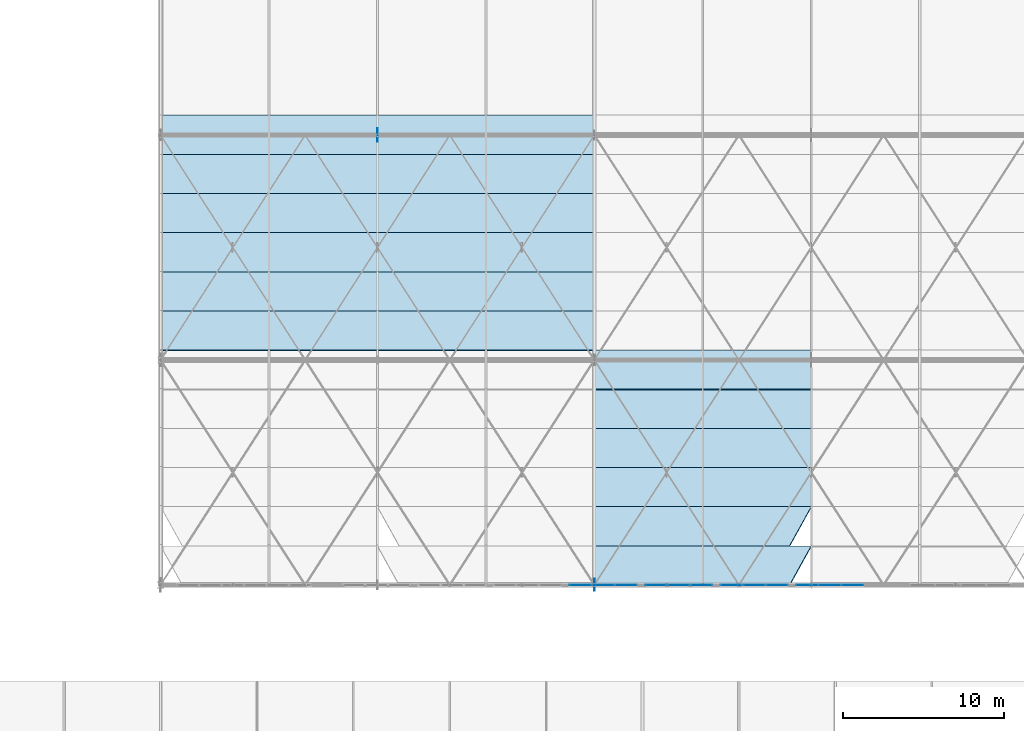
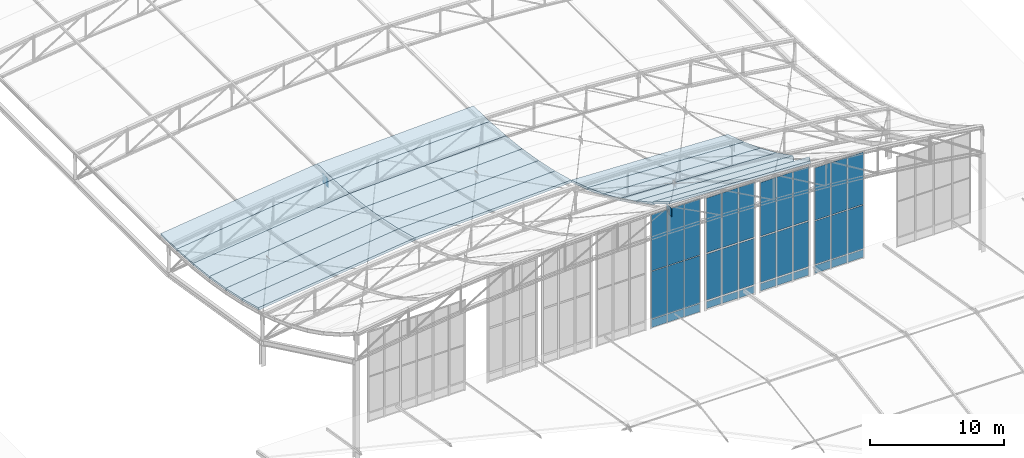
# One storey, part 229 of 262: 38 plates, 18 slabs, 4 elements without a shape of their own.
"""IFC4 building model written with IfcOpenShell, lengths in metres."""

from ifc_helpers import new_model, si_unit, derived_unit, direction, frame, origin, origin_2d, place, context, subcontext, project, spatial, polyline, rectangle, outline, extrude, material, layer, layer_set, type_object, element, aggregate, save


model = new_model("IFC4")

# Units and contexts
model_context = context("Model", 3, precision=1e-05, world=origin(), true_north=direction((0.0, 1.0)))
body_context = subcontext(model_context, "Body", "Model", "MODEL_VIEW")
ifc_project = project(units=[si_unit("LENGTHUNIT", "METRE"), si_unit("AREAUNIT", "SQUARE_METRE"), si_unit("VOLUMEUNIT", "CUBIC_METRE"), si_unit("PLANEANGLEUNIT", "RADIAN"), si_unit("MASSUNIT", "GRAM", prefix="KILO"), derived_unit("THERMALTRANSMITTANCEUNIT", [(si_unit("POWERUNIT", "WATT"), 1), (si_unit("LENGTHUNIT", "METRE"), -2), (si_unit("THERMODYNAMICTEMPERATUREUNIT", "KELVIN"), -1)])], contexts=[model_context])

# Site, building, storey
site_placement = place(None, origin())
site = spatial("IfcSite", under=ifc_project, at=site_placement, CompositionType="ELEMENT")
building_placement = place(site_placement, origin())
building = spatial("IfcBuilding", under=site, at=building_placement, Name="Almenara Railside Exhibition Hall", CompositionType="ELEMENT")
storey_placement = place(building_placement, frame((0.0, 0.0, 21.699951171875)))
storey = spatial("IfcBuildingStorey", under=building, at=storey_placement, Name="RF", CompositionType="ELEMENT", Elevation=21.699951171875)

# Curtain wall, plates
ifc_material_1 = material(Name="Bronze-anodised aluminium and low-E double glazing", Category="aluminium")
ifc_layer_1 = layer(ifc_material_1, 0.179931640625, Name="Bronze-anodised aluminium and low-E double glazing")
ifc_layer_set_1 = layer_set([ifc_layer_1], Name="Bronze-anodised aluminium and low-E double glazing")
curtain_wall_type = type_object("IfcCurtainWallType", Name="Scroll Gable Tall Curtain Wall 3800x5400", PredefinedType="NOTDEFINED", material=ifc_layer_set_1)
curtain_wall_1_placement = place(storey_placement, origin())
curtain_wall_1 = element("IfcCurtainWall", 1, at=curtain_wall_1_placement, inside=storey, type_object=curtain_wall_type, Name="Curtain wall CW-G1-220", PredefinedType="NOTDEFINED")
ifc_material_2 = material(Name="Solar-control acoustic laminated glazing", Category="glass")
ifc_layer_2 = layer(ifc_material_2, 0.031982421875, Name="Solar-control acoustic laminated glazing")
ifc_layer_set_2 = layer_set([ifc_layer_2], Name="Solar-control acoustic laminated glazing")
plate_type_1 = type_object("IfcPlateType", Name="Acoustic Low-E Double Glazing Panel 32mm", PredefinedType="CURTAIN_PANEL", material=ifc_layer_set_2)
plate_1_placement = place(storey_placement, frame((168.834228515625, 34.0, -6.555908203125), z_axis=(0.0, 0.0, 1.0), x_axis=(1.0, 0.0, 0.0)))
plate_1 = element("IfcPlate", 2, at=plate_1_placement, type_object=plate_type_1, Name="CW-G1-220 panel 1.1", PredefinedType="CURTAIN_PANEL", context=body_context, shape_type="SweptSolid", body=[
    extrude(rectangle(XDim=1.34423828125, YDim=0.031982421875, at=origin_2d()), origin(), (0.0, 0.0, 1.0), 0.64208984375),
])
plate_2_placement = place(storey_placement, frame((168.834228515625, 34.0, -5.785888671875), z_axis=(0.0, 0.0, 1.0), x_axis=(1.0, 0.0, 0.0)))
plate_2 = element("IfcPlate", 3, at=plate_2_placement, type_object=plate_type_1, Name="CW-G1-220 panel 1.2", PredefinedType="CURTAIN_PANEL", context=body_context, shape_type="SweptSolid", body=[
    extrude(rectangle(XDim=1.34423828125, YDim=0.031982421875, at=origin_2d()), origin(), (0.0, 0.0, 1.0), 4.20703125),
])
plate_3_placement = place(storey_placement, frame((168.834228515625, 34.0, -1.450927734375), z_axis=(0.0, 0.0, 1.0), x_axis=(1.0, 0.0, 0.0)))
plate_3 = element("IfcPlate", 4, at=plate_3_placement, type_object=plate_type_1, Name="CW-G1-220 panel 1.3", PredefinedType="CURTAIN_PANEL", context=body_context, shape_type="SweptSolid", body=[
    extrude(rectangle(XDim=1.34423828125, YDim=0.031982421875, at=origin_2d()), origin(), (0.0, 0.0, 1.0), 4.97705078125),
])
plate_4_placement = place(storey_placement, frame((170.25, 34.0, -6.555908203125), z_axis=(0.0, 0.0, 1.0), x_axis=(1.0, 0.0, 0.0)))
plate_4 = element("IfcPlate", 5, at=plate_4_placement, type_object=plate_type_1, Name="CW-G1-220 panel 2.1", PredefinedType="CURTAIN_PANEL", context=body_context, shape_type="SweptSolid", body=[
    extrude(rectangle(XDim=1.37939453125, YDim=0.031982421875, at=origin_2d()), origin(), (0.0, 0.0, 1.0), 0.64208984375),
])
plate_5_placement = place(storey_placement, frame((170.25, 34.0, -5.785888671875), z_axis=(0.0, 0.0, 1.0), x_axis=(1.0, 0.0, 0.0)))
plate_5 = element("IfcPlate", 6, at=plate_5_placement, type_object=plate_type_1, Name="CW-G1-220 panel 2.2", PredefinedType="CURTAIN_PANEL", context=body_context, shape_type="SweptSolid", body=[
    extrude(rectangle(XDim=1.37939453125, YDim=0.031982421875, at=origin_2d()), origin(), (0.0, 0.0, 1.0), 4.20703125),
])
plate_6_placement = place(storey_placement, frame((170.25, 34.0, -1.450927734375), z_axis=(0.0, 0.0, 1.0), x_axis=(1.0, 0.0, 0.0)))
plate_6 = element("IfcPlate", 7, at=plate_6_placement, type_object=plate_type_1, Name="CW-G1-220 panel 2.3", PredefinedType="CURTAIN_PANEL", context=body_context, shape_type="SweptSolid", body=[
    extrude(rectangle(XDim=1.37939453125, YDim=0.031982421875, at=origin_2d()), origin(), (0.0, 0.0, 1.0), 4.97705078125),
])
plate_7_placement = place(storey_placement, frame((171.665771484375, 34.0, -6.555908203125), z_axis=(0.0, 0.0, 1.0), x_axis=(1.0, 0.0, 0.0)))
plate_7 = element("IfcPlate", 8, at=plate_7_placement, type_object=plate_type_1, Name="CW-G1-220 panel 3.1", PredefinedType="CURTAIN_PANEL", context=body_context, shape_type="SweptSolid", body=[
    extrude(rectangle(XDim=1.34423828125, YDim=0.031982421875, at=origin_2d()), origin(), (0.0, 0.0, 1.0), 0.64208984375),
])
plate_8_placement = place(storey_placement, frame((171.665771484375, 34.0, -5.785888671875), z_axis=(0.0, 0.0, 1.0), x_axis=(1.0, 0.0, 0.0)))
plate_8 = element("IfcPlate", 9, at=plate_8_placement, type_object=plate_type_1, Name="CW-G1-220 panel 3.2", PredefinedType="CURTAIN_PANEL", context=body_context, shape_type="SweptSolid", body=[
    extrude(rectangle(XDim=1.34423828125, YDim=0.031982421875, at=origin_2d()), origin(), (0.0, 0.0, 1.0), 4.20703125),
])
plate_9_placement = place(storey_placement, frame((171.665771484375, 34.0, -1.450927734375), z_axis=(0.0, 0.0, 1.0), x_axis=(1.0, 0.0, 0.0)))
plate_9 = element("IfcPlate", 10, at=plate_9_placement, type_object=plate_type_1, Name="CW-G1-220 panel 3.3", PredefinedType="CURTAIN_PANEL", context=body_context, shape_type="SweptSolid", body=[
    extrude(rectangle(XDim=1.34423828125, YDim=0.031982421875, at=origin_2d()), origin(), (0.0, 0.0, 1.0), 4.97705078125),
])
aggregate(curtain_wall_1, [plate_1, plate_2, plate_3, plate_4, plate_5, plate_6, plate_7, plate_8, plate_9])

curtain_wall_2_placement = place(storey_placement, origin())
curtain_wall_2 = element("IfcCurtainWall", 11, at=curtain_wall_2_placement, inside=storey, type_object=curtain_wall_type, Name="Curtain wall CW-G1-222", PredefinedType="NOTDEFINED")
ifc_material_3 = material(Name="Clear low-E laminated double glazing", Category="glass")
ifc_layer_3 = layer(ifc_material_3, 0.02392578125, Name="Clear low-E laminated double glazing")
ifc_layer_set_3 = layer_set([ifc_layer_3], Name="Clear low-E laminated double glazing")
plate_type_2 = type_object("IfcPlateType", Name="Courtyard Clear Double Glazing Panel 24mm", PredefinedType="CURTAIN_PANEL", material=ifc_layer_set_3)
plate_10_placement = place(storey_placement, frame((178.231689453125, 34.0, -6.60595703125), z_axis=(0.0, 0.0, 1.0), x_axis=(1.0, 0.0, 0.0)))
plate_10 = element("IfcPlate", 12, at=plate_10_placement, type_object=plate_type_2, Name="CW-G1-222 panel 1.1", PredefinedType="CURTAIN_PANEL", context=body_context, shape_type="SweptSolid", body=[
    extrude(rectangle(XDim=1.359375, YDim=0.02392578125, at=origin_2d()), origin(), (0.0, 0.0, 1.0), 0.717041015625),
])
plate_11_placement = place(storey_placement, frame((178.231689453125, 34.0, -5.81103515625), z_axis=(0.0, 0.0, 1.0), x_axis=(1.0, 0.0, 0.0)))
plate_11 = element("IfcPlate", 13, at=plate_11_placement, type_object=plate_type_2, Name="CW-G1-222 panel 1.2", PredefinedType="CURTAIN_PANEL", context=body_context, shape_type="SweptSolid", body=[
    extrude(rectangle(XDim=1.359375, YDim=0.02392578125, at=origin_2d()), origin(), (0.0, 0.0, 1.0), 3.971923828125),
])
plate_12_placement = place(storey_placement, frame((178.231689453125, 34.0, -1.760986328125), z_axis=(0.0, 0.0, 1.0), x_axis=(1.0, 0.0, 0.0)))
plate_12 = element("IfcPlate", 14, at=plate_12_placement, type_object=plate_type_2, Name="CW-G1-222 panel 1.3", PredefinedType="CURTAIN_PANEL", context=body_context, shape_type="SweptSolid", body=[
    extrude(rectangle(XDim=1.359375, YDim=0.02392578125, at=origin_2d()), origin(), (0.0, 0.0, 1.0), 4.76708984375),
])
plate_13_placement = place(storey_placement, frame((179.64990234375, 34.0, -6.60595703125), z_axis=(0.0, 0.0, 1.0), x_axis=(1.0, 0.0, 0.0)))
plate_13 = element("IfcPlate", 15, at=plate_13_placement, type_object=plate_type_2, Name="CW-G1-222 panel 2.1", PredefinedType="CURTAIN_PANEL", context=body_context, shape_type="SweptSolid", body=[
    extrude(rectangle(XDim=1.389404296875, YDim=0.02392578125, at=origin_2d()), origin(), (0.0, 0.0, 1.0), 0.717041015625),
])
plate_14_placement = place(storey_placement, frame((179.64990234375, 34.0, -5.81103515625), z_axis=(0.0, 0.0, 1.0), x_axis=(1.0, 0.0, 0.0)))
plate_14 = element("IfcPlate", 16, at=plate_14_placement, type_object=plate_type_2, Name="CW-G1-222 panel 2.2", PredefinedType="CURTAIN_PANEL", context=body_context, shape_type="SweptSolid", body=[
    extrude(rectangle(XDim=1.389404296875, YDim=0.02392578125, at=origin_2d()), origin(), (0.0, 0.0, 1.0), 3.971923828125),
])
plate_15_placement = place(storey_placement, frame((179.64990234375, 34.0, -1.760986328125), z_axis=(0.0, 0.0, 1.0), x_axis=(1.0, 0.0, 0.0)))
plate_15 = element("IfcPlate", 17, at=plate_15_placement, type_object=plate_type_2, Name="CW-G1-222 panel 2.3", PredefinedType="CURTAIN_PANEL", context=body_context, shape_type="SweptSolid", body=[
    extrude(rectangle(XDim=1.389404296875, YDim=0.02392578125, at=origin_2d()), origin(), (0.0, 0.0, 1.0), 4.76708984375),
])
plate_16_placement = place(storey_placement, frame((181.068359375, 34.0, -6.60595703125), z_axis=(0.0, 0.0, 1.0), x_axis=(1.0, 0.0, 0.0)))
plate_16 = element("IfcPlate", 18, at=plate_16_placement, type_object=plate_type_2, Name="CW-G1-222 panel 3.1", PredefinedType="CURTAIN_PANEL", context=body_context, shape_type="SweptSolid", body=[
    extrude(rectangle(XDim=1.359375, YDim=0.02392578125, at=origin_2d()), origin(), (0.0, 0.0, 1.0), 0.717041015625),
])
plate_17_placement = place(storey_placement, frame((181.068359375, 34.0, -5.81103515625), z_axis=(0.0, 0.0, 1.0), x_axis=(1.0, 0.0, 0.0)))
plate_17 = element("IfcPlate", 19, at=plate_17_placement, type_object=plate_type_2, Name="CW-G1-222 panel 3.2", PredefinedType="CURTAIN_PANEL", context=body_context, shape_type="SweptSolid", body=[
    extrude(rectangle(XDim=1.359375, YDim=0.02392578125, at=origin_2d()), origin(), (0.0, 0.0, 1.0), 3.971923828125),
])
plate_18_placement = place(storey_placement, frame((181.068359375, 34.0, -1.760986328125), z_axis=(0.0, 0.0, 1.0), x_axis=(1.0, 0.0, 0.0)))
plate_18 = element("IfcPlate", 20, at=plate_18_placement, type_object=plate_type_2, Name="CW-G1-222 panel 3.3", PredefinedType="CURTAIN_PANEL", context=body_context, shape_type="SweptSolid", body=[
    extrude(rectangle(XDim=1.359375, YDim=0.02392578125, at=origin_2d()), origin(), (0.0, 0.0, 1.0), 4.76708984375),
])
aggregate(curtain_wall_2, [plate_10, plate_11, plate_12, plate_13, plate_14, plate_15, plate_16, plate_17, plate_18])

curtain_wall_3_placement = place(storey_placement, origin())
curtain_wall_3 = element("IfcCurtainWall", 21, at=curtain_wall_3_placement, inside=storey, type_object=curtain_wall_type, Name="Curtain wall CW-G1-219", PredefinedType="NOTDEFINED")
ifc_material_4 = material(Name="Bronze-anodised insulated aluminium spandrel", Category="aluminium")
ifc_layer_4 = layer(ifc_material_4, 0.034912109375, Name="Bronze-anodised insulated aluminium spandrel")
ifc_layer_set_4 = layer_set([ifc_layer_4], Name="Bronze-anodised insulated aluminium spandrel")
plate_type_3 = type_object("IfcPlateType", Name="Insulated Stucco-Tone Spandrel Panel 35mm", PredefinedType="CURTAIN_PANEL", material=ifc_layer_set_4)
plate_19_placement = place(storey_placement, frame((164.13037109375, 34.0, -6.6259765625), z_axis=(0.0, 0.0, 1.0), x_axis=(1.0, 0.0, 0.0)))
plate_19 = element("IfcPlate", 22, at=plate_19_placement, type_object=plate_type_3, Name="CW-G1-219 panel 1.1", PredefinedType="CURTAIN_PANEL", context=body_context, shape_type="SweptSolid", body=[
    extrude(rectangle(XDim=1.366943359375, YDim=0.034912109375, at=origin_2d()), origin(), (0.0, 0.0, 1.0), 0.7470703125),
])
plate_20_placement = place(storey_placement, frame((164.13037109375, 34.0, -5.82080078125), z_axis=(0.0, 0.0, 1.0), x_axis=(1.0, 0.0, 0.0)))
plate_20 = element("IfcPlate", 23, at=plate_20_placement, type_object=plate_type_3, Name="CW-G1-219 panel 1.2", PredefinedType="CURTAIN_PANEL", context=body_context, shape_type="SweptSolid", body=[
    extrude(rectangle(XDim=1.366943359375, YDim=0.034912109375, at=origin_2d()), origin(), (0.0, 0.0, 1.0), 4.31689453125),
])
plate_21_placement = place(storey_placement, frame((164.13037109375, 34.0, -1.446044921875), z_axis=(0.0, 0.0, 1.0), x_axis=(1.0, 0.0, 0.0)))
plate_21 = element("IfcPlate", 24, at=plate_21_placement, type_object=plate_type_3, Name="CW-G1-219 panel 1.3", PredefinedType="CURTAIN_PANEL", context=body_context, shape_type="SweptSolid", body=[
    extrude(rectangle(XDim=1.366943359375, YDim=0.034912109375, at=origin_2d()), origin(), (0.0, 0.0, 1.0), 5.1220703125),
])
plate_22_placement = place(storey_placement, frame((165.550048828125, 34.0, -6.6259765625), z_axis=(0.0, 0.0, 1.0), x_axis=(1.0, 0.0, 0.0)))
plate_22 = element("IfcPlate", 25, at=plate_22_placement, type_object=plate_type_3, Name="CW-G1-219 panel 2.1", PredefinedType="CURTAIN_PANEL", context=body_context, shape_type="SweptSolid", body=[
    extrude(rectangle(XDim=1.394287109375, YDim=0.034912109375, at=origin_2d()), origin(), (0.0, 0.0, 1.0), 0.7470703125),
])
plate_23_placement = place(storey_placement, frame((165.550048828125, 34.0, -5.82080078125), z_axis=(0.0, 0.0, 1.0), x_axis=(1.0, 0.0, 0.0)))
plate_23 = element("IfcPlate", 26, at=plate_23_placement, type_object=plate_type_3, Name="CW-G1-219 panel 2.2", PredefinedType="CURTAIN_PANEL", context=body_context, shape_type="SweptSolid", body=[
    extrude(rectangle(XDim=1.394287109375, YDim=0.034912109375, at=origin_2d()), origin(), (0.0, 0.0, 1.0), 4.31689453125),
])
plate_24_placement = place(storey_placement, frame((165.550048828125, 34.0, -1.446044921875), z_axis=(0.0, 0.0, 1.0), x_axis=(1.0, 0.0, 0.0)))
plate_24 = element("IfcPlate", 27, at=plate_24_placement, type_object=plate_type_3, Name="CW-G1-219 panel 2.3", PredefinedType="CURTAIN_PANEL", context=body_context, shape_type="SweptSolid", body=[
    extrude(rectangle(XDim=1.394287109375, YDim=0.034912109375, at=origin_2d()), origin(), (0.0, 0.0, 1.0), 5.1220703125),
])
plate_25_placement = place(storey_placement, frame((166.969482421875, 34.0, -6.6259765625), z_axis=(0.0, 0.0, 1.0), x_axis=(1.0, 0.0, 0.0)))
plate_25 = element("IfcPlate", 28, at=plate_25_placement, type_object=plate_type_3, Name="CW-G1-219 panel 3.1", PredefinedType="CURTAIN_PANEL", context=body_context, shape_type="SweptSolid", body=[
    extrude(rectangle(XDim=1.366943359375, YDim=0.034912109375, at=origin_2d()), origin(), (0.0, 0.0, 1.0), 0.7470703125),
])
plate_26_placement = place(storey_placement, frame((166.969482421875, 34.0, -5.82080078125), z_axis=(0.0, 0.0, 1.0), x_axis=(1.0, 0.0, 0.0)))
plate_26 = element("IfcPlate", 29, at=plate_26_placement, type_object=plate_type_3, Name="CW-G1-219 panel 3.2", PredefinedType="CURTAIN_PANEL", context=body_context, shape_type="SweptSolid", body=[
    extrude(rectangle(XDim=1.366943359375, YDim=0.034912109375, at=origin_2d()), origin(), (0.0, 0.0, 1.0), 4.31689453125),
])
plate_27_placement = place(storey_placement, frame((166.969482421875, 34.0, -1.446044921875), z_axis=(0.0, 0.0, 1.0), x_axis=(1.0, 0.0, 0.0)))
plate_27 = element("IfcPlate", 30, at=plate_27_placement, type_object=plate_type_3, Name="CW-G1-219 panel 3.3", PredefinedType="CURTAIN_PANEL", context=body_context, shape_type="SweptSolid", body=[
    extrude(rectangle(XDim=1.366943359375, YDim=0.034912109375, at=origin_2d()), origin(), (0.0, 0.0, 1.0), 5.1220703125),
])
aggregate(curtain_wall_3, [plate_19, plate_20, plate_21, plate_22, plate_23, plate_24, plate_25, plate_26, plate_27])

curtain_wall_4_placement = place(storey_placement, origin())
curtain_wall_4 = element("IfcCurtainWall", 31, at=curtain_wall_4_placement, inside=storey, type_object=curtain_wall_type, Name="Curtain wall CW-G1-221", PredefinedType="NOTDEFINED")
ifc_material_5 = material(Name="Solar-control low-E laminated double glazing", Category="glass")
ifc_layer_5 = layer(ifc_material_5, 0.028076171875, Name="Solar-control low-E laminated double glazing")
ifc_layer_set_5 = layer_set([ifc_layer_5], Name="Solar-control low-E laminated double glazing")
plate_type_4 = type_object("IfcPlateType", Name="Low-E Solar Control Double Glazing Panel 28mm", PredefinedType="CURTAIN_PANEL", material=ifc_layer_set_5)
plate_28_placement = place(storey_placement, frame((173.532958984375, 34.0, -6.576171875), z_axis=(0.0, 0.0, 1.0), x_axis=(1.0, 0.0, 0.0)))
plate_28 = element("IfcPlate", 32, at=plate_28_placement, type_object=plate_type_4, Name="CW-G1-221 panel 1.1", PredefinedType="CURTAIN_PANEL", context=body_context, shape_type="SweptSolid", body=[
    extrude(rectangle(XDim=1.351806640625, YDim=0.028076171875, at=origin_2d()), origin(), (0.0, 0.0, 1.0), 0.672119140625),
])
plate_29_placement = place(storey_placement, frame((173.532958984375, 34.0, -5.7958984375), z_axis=(0.0, 0.0, 1.0), x_axis=(1.0, 0.0, 0.0)))
plate_29 = element("IfcPlate", 33, at=plate_29_placement, type_object=plate_type_4, Name="CW-G1-221 panel 1.2", PredefinedType="CURTAIN_PANEL", context=body_context, shape_type="SweptSolid", body=[
    extrude(rectangle(XDim=1.351806640625, YDim=0.028076171875, at=origin_2d()), origin(), (0.0, 0.0, 1.0), 4.116943359375),
])
plate_30_placement = place(storey_placement, frame((173.532958984375, 34.0, -1.571044921875), z_axis=(0.0, 0.0, 1.0), x_axis=(1.0, 0.0, 0.0)))
plate_30 = element("IfcPlate", 34, at=plate_30_placement, type_object=plate_type_4, Name="CW-G1-221 panel 1.3", PredefinedType="CURTAIN_PANEL", context=body_context, shape_type="SweptSolid", body=[
    extrude(rectangle(XDim=1.351806640625, YDim=0.028076171875, at=origin_2d()), origin(), (0.0, 0.0, 1.0), 4.89697265625),
])
plate_31_placement = place(storey_placement, frame((174.949951171875, 34.0, -6.576171875), z_axis=(0.0, 0.0, 1.0), x_axis=(1.0, 0.0, 0.0)))
plate_31 = element("IfcPlate", 35, at=plate_31_placement, type_object=plate_type_4, Name="CW-G1-221 panel 2.1", PredefinedType="CURTAIN_PANEL", context=body_context, shape_type="SweptSolid", body=[
    extrude(rectangle(XDim=1.38427734375, YDim=0.028076171875, at=origin_2d()), origin(), (0.0, 0.0, 1.0), 0.672119140625),
])
plate_32_placement = place(storey_placement, frame((174.949951171875, 34.0, -5.7958984375), z_axis=(0.0, 0.0, 1.0), x_axis=(1.0, 0.0, 0.0)))
plate_32 = element("IfcPlate", 36, at=plate_32_placement, type_object=plate_type_4, Name="CW-G1-221 panel 2.2", PredefinedType="CURTAIN_PANEL", context=body_context, shape_type="SweptSolid", body=[
    extrude(rectangle(XDim=1.38427734375, YDim=0.028076171875, at=origin_2d()), origin(), (0.0, 0.0, 1.0), 4.116943359375),
])
plate_33_placement = place(storey_placement, frame((174.949951171875, 34.0, -1.571044921875), z_axis=(0.0, 0.0, 1.0), x_axis=(1.0, 0.0, 0.0)))
plate_33 = element("IfcPlate", 37, at=plate_33_placement, type_object=plate_type_4, Name="CW-G1-221 panel 2.3", PredefinedType="CURTAIN_PANEL", context=body_context, shape_type="SweptSolid", body=[
    extrude(rectangle(XDim=1.38427734375, YDim=0.028076171875, at=origin_2d()), origin(), (0.0, 0.0, 1.0), 4.89697265625),
])
plate_34_placement = place(storey_placement, frame((176.3671875, 34.0, -6.576171875), z_axis=(0.0, 0.0, 1.0), x_axis=(1.0, 0.0, 0.0)))
plate_34 = element("IfcPlate", 38, at=plate_34_placement, type_object=plate_type_4, Name="CW-G1-221 panel 3.1", PredefinedType="CURTAIN_PANEL", context=body_context, shape_type="SweptSolid", body=[
    extrude(rectangle(XDim=1.351806640625, YDim=0.028076171875, at=origin_2d()), origin(), (0.0, 0.0, 1.0), 0.672119140625),
])
plate_35_placement = place(storey_placement, frame((176.3671875, 34.0, -5.7958984375), z_axis=(0.0, 0.0, 1.0), x_axis=(1.0, 0.0, 0.0)))
plate_35 = element("IfcPlate", 39, at=plate_35_placement, type_object=plate_type_4, Name="CW-G1-221 panel 3.2", PredefinedType="CURTAIN_PANEL", context=body_context, shape_type="SweptSolid", body=[
    extrude(rectangle(XDim=1.351806640625, YDim=0.028076171875, at=origin_2d()), origin(), (0.0, 0.0, 1.0), 4.116943359375),
])
plate_36_placement = place(storey_placement, frame((176.3671875, 34.0, -1.571044921875), z_axis=(0.0, 0.0, 1.0), x_axis=(1.0, 0.0, 0.0)))
plate_36 = element("IfcPlate", 40, at=plate_36_placement, type_object=plate_type_4, Name="CW-G1-221 panel 3.3", PredefinedType="CURTAIN_PANEL", context=body_context, shape_type="SweptSolid", body=[
    extrude(rectangle(XDim=1.351806640625, YDim=0.028076171875, at=origin_2d()), origin(), (0.0, 0.0, 1.0), 4.89697265625),
])
aggregate(curtain_wall_4, [plate_28, plate_29, plate_30, plate_31, plate_32, plate_33, plate_34, plate_35, plate_36])

# Slabs
ifc_material_6 = material(Name="White standing-seam insulated steel S355JR roof deck", Category="steel")
ifc_layer_6 = layer(ifc_material_6, 0.195068359375, Name="White standing-seam insulated steel S355JR roof deck")
ifc_layer_set_6 = layer_set([ifc_layer_6], Name="White standing-seam insulated steel S355JR roof deck")
slab_type_1 = type_object("IfcSlabType", Name="Scroll Standing-Seam Insulated Roof Cassette 195mm S355JR", PredefinedType="ROOF", material=ifc_layer_set_6)
slab_1_placement = place(storey_placement, frame((165.0, 38.873291015625, 1.402587890625), z_axis=(0.036457270547, 0.445014736902, 0.894780839851), x_axis=(0.99917098071, 0.0, -0.04071057978)))
element("IfcSlab", 41, at=slab_1_placement, inside=storey, type_object=slab_type_1, Name="V2 roof cassette RC-V2-03C", PredefinedType="ROOF", context=body_context, shape_type="SweptSolid", body=[
    extrude(outline(polyline([(0.0, 0.0), (13.511201046291989, 2.7755575615628914e-17), (13.560538770420465, 2.721054522361552), (0.049337724128476194, 2.721054522361552), (0.0, 0.0)])), origin(), (0.0, 0.0, -1.0), 0.195068359375),
])
slab_2_placement = place(storey_placement, frame((165.0, 41.31005859375, 0.190673828125), z_axis=(0.037336648917, 0.398134110572, 0.916567075912), x_axis=(0.999171289928, 3.29693e-06, -0.040702989732)))
element("IfcSlab", 42, at=slab_2_placement, inside=storey, type_object=slab_type_1, Name="V2 roof cassette RC-V2-04C", PredefinedType="ROOF", context=body_context, shape_type="SweptSolid", body=[
    extrude(outline(polyline([(0.0, 0.0), (13.511201045828729, 2.7755575615628914e-17), (13.554287072964813, 2.6563289907714047), (0.04309596438943674, 2.656426110900733), (0.0, 0.0)])), origin(), (0.0, 0.0, -1.0), 0.195068359375),
])
slab_3_placement = place(storey_placement, frame((165.0, 43.746826171875, -0.867919921875), z_axis=(0.038099076355, 0.351289609221, 0.935491352624), x_axis=(0.999171715558, 0.0, -0.04069254021)))
element("IfcSlab", 43, at=slab_3_placement, inside=storey, type_object=slab_type_1, Name="V2 roof cassette RC-V2-05C", PredefinedType="ROOF", context=body_context, shape_type="SweptSolid", body=[
    extrude(outline(polyline([(0.0, 0.0), (13.51119110938769, 0.0), (13.548426373231939, 2.6026421672655093), (0.03723526384424778, 2.60264216726551), (0.0, 0.0)])), origin(), (0.0, 0.0, -1.0), 0.195068359375),
])
slab_4_placement = place(storey_placement, frame((165.0, 46.18359375, -1.782958984375), z_axis=(0.038769369854, 0.304451433762, 0.951738546262), x_axis=(0.999171382228, -2.617894e-06, -0.04070072395)))
element("IfcSlab", 44, at=slab_4_placement, inside=storey, type_object=slab_type_1, Name="V2 roof cassette RC-V2-06C", PredefinedType="ROOF", context=body_context, shape_type="SweptSolid", body=[
    extrude(outline(polyline([(0.0, 0.0), (13.511191108888193, -5.551115123125783e-17), (13.542912614011806, 2.5579922574440292), (0.03171156842342922, 2.5579179900462297), (0.0, 0.0)])), origin(), (0.0, 0.0, -1.0), 0.195068359375),
])
slab_5_placement = place(storey_placement, frame((138.0, 48.6201171875, -4.762451171875), z_axis=(-0.117286614982, 0.256009943126, 0.959532573166), x_axis=(0.992612220818, 0.0, 0.121330041965)))
element("IfcSlab", 45, at=slab_5_placement, inside=storey, type_object=slab_type_1, Name="V2 roof cassette RC-V2-07A", PredefinedType="ROOF", context=body_context, shape_type="SweptSolid", body=[
    extrude(outline(polyline([(0.0, 0.0), (13.600477323237415, -5.551115123125783e-17), (13.521595023004677, 2.520774536458257), (-0.07888230023273898, 2.520774536458257), (0.0, 0.0)])), origin(), (0.0, 0.0, -1.0), 0.195068359375),
])
slab_6_placement = place(storey_placement, frame((151.5, 48.6201171875, -3.1123046875), z_axis=(-0.03933677698, 0.257589650078, 0.965453359904), x_axis=(0.99917098071, 0.0, 0.04071057978)))
element("IfcSlab", 46, at=slab_6_placement, inside=storey, type_object=slab_type_1, Name="V2 roof cassette RC-V2-07B", PredefinedType="ROOF", context=body_context, shape_type="SweptSolid", body=[
    extrude(outline(polyline([(0.0, 0.0), (13.511201046291989, 0.0), (13.48473320597085, 2.521869571245723), (-0.026467840321138622, 2.521869571245723), (0.0, 0.0)])), origin(), (0.0, 0.0, -1.0), 0.195068359375),
])
slab_7_placement = place(storey_placement, frame((138.0, 51.056884765625, -5.41259765625), z_axis=(-0.118631065148, 0.209417344689, 0.97060344432), x_axis=(0.992613254321, -1.824359e-06, 0.121321586465)))
element("IfcSlab", 47, at=slab_7_placement, inside=storey, type_object=slab_type_1, Name="V2 roof cassette RC-V2-08A", PredefinedType="ROOF", context=body_context, shape_type="SweptSolid", body=[
    extrude(outline(polyline([(0.0, 0.0), (13.600477322721332, -5.551115123125783e-17), (13.536672413987155, 2.492050114548932), (-0.06377528920622984, 2.491999364984577), (0.0, 0.0)])), origin(), (0.0, 0.0, -1.0), 0.195068359375),
])
slab_8_placement = place(storey_placement, frame((151.5, 51.056884765625, -3.762451171875), z_axis=(-0.039795900698, 0.210786361166, 0.976721759886), x_axis=(0.99917098071, 0.0, 0.04071057978)))
element("IfcSlab", 48, at=slab_8_placement, inside=storey, type_object=slab_type_1, Name="V2 roof cassette RC-V2-08B", PredefinedType="ROOF", context=body_context, shape_type="SweptSolid", body=[
    extrude(outline(polyline([(0.0, 0.0), (13.511201046291989, -1.3877787807814457e-17), (13.489792211124232, 2.4927748626012405), (-0.021408835167755384, 2.4927748626012405), (0.0, 0.0)])), origin(), (0.0, 0.0, -1.0), 0.195068359375),
])
slab_9_placement = place(storey_placement, frame((138.0, 53.49365234375, -5.938232421875), z_axis=(-0.119692276774, 0.162882973753, 0.979358410257), x_axis=(0.992614382556, 0.0, 0.121312355276)))
element("IfcSlab", 49, at=slab_9_placement, inside=storey, type_object=slab_type_1, Name="V2 roof cassette RC-V2-09A", PredefinedType="ROOF", context=body_context, shape_type="SweptSolid", body=[
    extrude(outline(polyline([(0.0, 0.0), (13.600447703804157, 5.551115123125783e-17), (13.551283028570426, 2.4697501136053033), (-0.04916467523373066, 2.4697501136053033), (0.0, 0.0)])), origin(), (0.0, 0.0, -1.0), 0.195068359375),
])
slab_10_placement = place(storey_placement, frame((151.5, 53.49365234375, -4.288330078125), z_axis=(-0.040159845601, 0.163930057659, 0.985654159935), x_axis=(0.99917098071, 0.0, 0.04071057978)))
element("IfcSlab", 50, at=slab_10_placement, inside=storey, type_object=slab_type_1, Name="V2 roof cassette RC-V2-09B", PredefinedType="ROOF", context=body_context, shape_type="SweptSolid", body=[
    extrude(outline(polyline([(0.0, 0.0), (13.511201046291989, 0.0), (13.494702129681741, 2.4701843199840234), (-0.016498916610247882, 2.4701843199840234), (0.0, 0.0)])), origin(), (0.0, 0.0, -1.0), 0.195068359375),
])
slab_11_placement = place(storey_placement, frame((138.0, 55.930419921875, -6.343505859375), z_axis=(-0.120488174976, 0.116368303898, 0.98587069007), x_axis=(0.992614382556, 0.0, 0.121312355276)))
element("IfcSlab", 51, at=slab_11_placement, inside=storey, type_object=slab_type_1, Name="V2 roof cassette RC-V2-10A", PredefinedType="ROOF", context=body_context, shape_type="SweptSolid", body=[
    extrude(outline(polyline([(0.0, 0.0), (13.600447703804157, -2.7755575615628914e-17), (13.56555855475275, 2.4531900906056543), (-0.03488914905140646, 2.4531900906056543), (0.0, 0.0)])), origin(), (0.0, 0.0, -1.0), 0.195068359375),
])
slab_12_placement = place(storey_placement, frame((151.5, 55.930419921875, -4.693603515625), z_axis=(-0.040430369248, 0.117126450334, 0.99229369638), x_axis=(0.99917098071, 0.0, 0.04071057978)))
element("IfcSlab", 52, at=slab_12_placement, inside=storey, type_object=slab_type_1, Name="V2 roof cassette RC-V2-10B", PredefinedType="ROOF", context=body_context, shape_type="SweptSolid", body=[
    extrude(outline(polyline([(0.0, 0.0), (13.511201046291989, 0.0), (13.499492778962548, 2.453410236760957), (-0.011708267329440967, 2.4534102367609565), (0.0, 0.0)])), origin(), (0.0, 0.0, -1.0), 0.195068359375),
])
slab_13_placement = place(storey_placement, frame((138.0, 58.366943359375, -6.631103515625), z_axis=(-0.121016955497, 0.069743384887, 0.990197332226), x_axis=(0.992614382556, 0.0, 0.121312355276)))
element("IfcSlab", 53, at=slab_13_placement, inside=storey, type_object=slab_type_1, Name="V2 roof cassette RC-V2-11A", PredefinedType="ROOF", context=body_context, shape_type="SweptSolid", body=[
    extrude(outline(polyline([(0.0, 0.0), (13.600447703804157, -1.3877787807814457e-17), (13.579626760015413, 2.4427156752251635), (-0.020820943788742562, 2.4427156752251635), (0.0, 0.0)])), origin(), (0.0, 0.0, -1.0), 0.195068359375),
])
slab_14_placement = place(storey_placement, frame((151.5, 58.366943359375, -4.981201171875), z_axis=(-0.04061013904, 0.070201803692, 0.996705835924), x_axis=(0.99917098071, 0.0, 0.04071057978)))
element("IfcSlab", 54, at=slab_14_placement, inside=storey, type_object=slab_type_1, Name="V2 roof cassette RC-V2-11B", PredefinedType="ROOF", context=body_context, shape_type="SweptSolid", body=[
    extrude(outline(polyline([(0.0, 0.0), (13.511201046291989, 0.0), (13.504213854498612, 2.4427944164095803), (-0.00698719179337606, 2.4427944164095803), (0.0, 0.0)])), origin(), (0.0, 0.0, -1.0), 0.195068359375),
])
slab_15_placement = place(storey_placement, frame((138.0, 60.8037109375, -6.802734375), z_axis=(-0.121279519792, 0.023265093355, 0.992345712698), x_axis=(0.992614382556, 0.0, 0.121312355276)))
element("IfcSlab", 55, at=slab_15_placement, inside=storey, type_object=slab_type_1, Name="V2 roof cassette RC-V2-12A", PredefinedType="ROOF", context=body_context, shape_type="SweptSolid", body=[
    extrude(outline(polyline([(0.0, 0.0), (13.600447703804157, 0.0), (13.593517261632655, 2.4374273139320084), (-0.006930442171501791, 2.4374273139320084), (0.0, 0.0)])), origin(), (0.0, 0.0, -1.0), 0.195068359375),
])
slab_16_placement = place(storey_placement, frame((151.5, 60.8037109375, -5.15283203125), z_axis=(-0.040699414701, 0.023418684202, 0.99889695308), x_axis=(0.99917098071, 0.0, 0.04071057978)))
element("IfcSlab", 56, at=slab_16_placement, inside=storey, type_object=slab_type_1, Name="V2 roof cassette RC-V2-12B", PredefinedType="ROOF", context=body_context, shape_type="SweptSolid", body=[
    extrude(outline(polyline([(0.0, 0.0), (13.511201046291989, 0.0), (13.508875295396328, 2.437436057133248), (-0.0023257508956614483, 2.437436057133248), (0.0, 0.0)])), origin(), (0.0, 0.0, -1.0), 0.195068359375),
])
ifc_layer_7 = layer(ifc_material_6, 0.179931640625, Name="White standing-seam insulated steel S355JR roof deck")
ifc_layer_set_7 = layer_set([ifc_layer_7], Name="White standing-seam insulated steel S355JR roof deck")
slab_type_2 = type_object("IfcSlabType", Name="Scroll Tip Standing-Seam Cassette 180mm S355JR", PredefinedType="ROOF", material=ifc_layer_set_7)
slab_17_placement = place(storey_placement, frame((165.0, 34.0, 4.340087890625), z_axis=(0.038532114641, 0.523440887829, 0.851190291938), x_axis=(0.998976911567, 1.497398e-06, -0.045223115259)))
element("IfcSlab", 57, at=slab_17_placement, inside=storey, type_object=slab_type_2, Name="V2 roof cassette RC-V2-01C", PredefinedType="ROOF", context=body_context, shape_type="SweptSolid", body=[
    extrude(outline(polyline([(0.0, 0.0), (12.162346840752935, 5.551115123125783e-17), (13.581595504514471, 2.859823893187278), (0.06777207690106239, 2.8598690160041214), (0.0, 0.0)])), origin(), (0.0, 0.0, -1.0), 0.179931640625),
])
slab_18_placement = place(storey_placement, frame((165.0, 36.436767578125, 2.780517578125), z_axis=(0.039792730791, 0.475088460932, 0.879037822204), x_axis=(0.998976918898, 1.40354e-06, -0.045222953327)))
element("IfcSlab", 58, at=slab_18_placement, inside=storey, type_object=slab_type_2, Name="V2 roof cassette RC-V2-02C", PredefinedType="ROOF", context=body_context, shape_type="SweptSolid", body=[
    extrude(outline(polyline([(0.0, 0.0), (12.162346840749628, 0.0), (13.573380707305972, 2.768949944064072), (0.0595572796822665, 2.7689908986973566), (0.0, 0.0)])), origin(), (0.0, 0.0, -1.0), 0.179931640625),
])

# Plates
ifc_material_7 = material(Name="Structural steel S355JR", Category="steel")
ifc_layer_8 = layer(ifc_material_7, 0.02392578125, Name="Structural steel S355JR")
ifc_layer_set_8 = layer_set([ifc_layer_8], Name="Structural steel S355JR")
plate_type_5 = type_object("IfcPlateType", Name="Truss Node Gusset Plate 24mm S355JR", PredefinedType="USERDEFINED", material=ifc_layer_set_8)
plate_37_placement = place(storey_placement, frame((165.0, 34.0, 3.175048828125), z_axis=(0.0, 0.0, 1.0), x_axis=(0.0, 1.0, 0.0)))
element("IfcPlate", 59, at=plate_37_placement, inside=storey, type_object=plate_type_5, Name="PLT-GUS-0115", ObjectType="GUSSET_PLATE", PredefinedType="USERDEFINED", context=body_context, shape_type="SweptSolid", body=[
    extrude(rectangle(XDim=0.75, YDim=0.02392578125, at=origin_2d()), origin(), (0.0, 0.0, 1.0), 0.75),
])
ifc_layer_9 = layer(ifc_material_7, 0.028076171875, Name="Structural steel S355JR")
ifc_layer_set_9 = layer_set([ifc_layer_9], Name="Structural steel S355JR")
plate_type_6 = type_object("IfcPlateType", Name="Truss Node Gusset Plate 28mm S355JR", PredefinedType="USERDEFINED", material=ifc_layer_set_9)
plate_38_placement = place(storey_placement, frame((151.5, 62.0, -6.41015625), z_axis=(0.0, 0.0, 1.0), x_axis=(0.0, 1.0, 0.0)))
element("IfcPlate", 60, at=plate_38_placement, inside=storey, type_object=plate_type_6, Name="PLT-GUS-0124", ObjectType="GUSSET_PLATE", PredefinedType="USERDEFINED", context=body_context, shape_type="SweptSolid", body=[
    extrude(rectangle(XDim=0.85009765625, YDim=0.028076171875, at=origin_2d()), origin(), (0.0, 0.0, 1.0), 0.85009765625),
])

save(model, "model.ifc")
